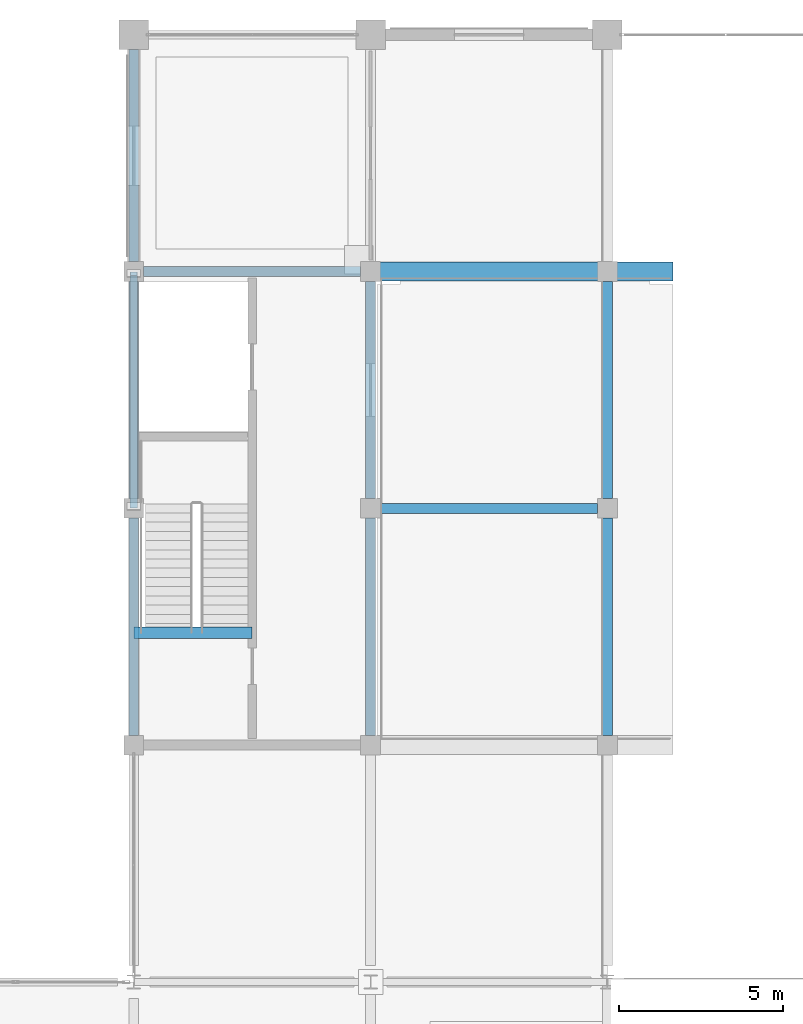
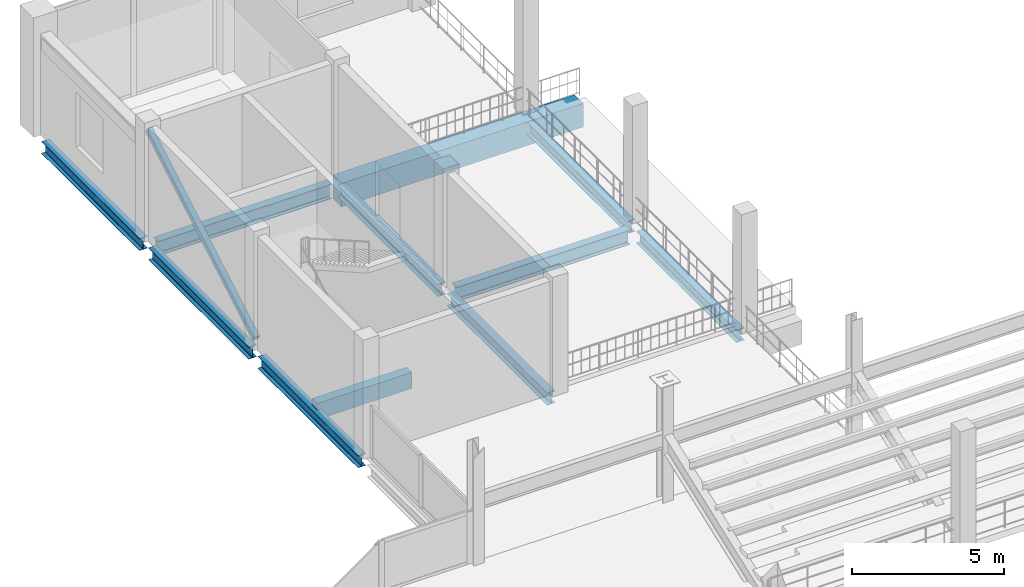
# One storey, part 47 of 120: 11 beams, 1 member.
"""IFC4 building model written with IfcOpenShell, lengths in metres."""

import ifcopenshell
import ifcopenshell.guid

model = None  # the IFC model being written
_history = None  # IfcOwnerHistory: only IFC2X3 demands one
_inside = {}  # id of a spatial element -> (the spatial element, [elements in it])
_under = {}  # id of a project, library or spatial element -> (it, [spatial elements below it])
_declared = {}  # id of a project -> (the project, [libraries it declares])
_typed = {}  # id of a type object -> (the type object, [elements of that type])
_made_of = {}  # id of a material, layer set ... -> (it, [elements and type objects made of it])


def new_model(schema):
    """Start an empty IFC model of exactly this schema.

    Asked for "IFC4X3", IfcOpenShell would pick the latest addendum, in which some entities
    have other attributes; the version numbers below select the first issue.
    IFC2X3 requires an IfcOwnerHistory on every rooted entity: one is made here for all.
    """
    global model, _history
    if schema == "IFC4X3":
        model = ifcopenshell.file(schema_version=(4, 3, 0, 0))
    else:
        model = ifcopenshell.file(schema=schema)
    _inside.clear()
    _under.clear()
    _declared.clear()
    _typed.clear()
    _made_of.clear()
    _history = None
    if model.schema == "IFC2X3":
        org = make("IfcOrganization", Name="unknown")
        user = make(
            "IfcPersonAndOrganization",
            ThePerson=make("IfcPerson", FamilyName="unknown"),
            TheOrganization=org,
        )
        app = make(
            "IfcApplication",
            ApplicationDeveloper=org,
            Version="unknown",
            ApplicationFullName="unknown",
            ApplicationIdentifier="unknown",
        )
        _history = make(
            "IfcOwnerHistory",
            OwningUser=user,
            OwningApplication=app,
            ChangeAction="ADDED",
            CreationDate=0,
        )
    return model


def make(cls, **values):
    """One entity of the class cls with the attributes given. An attribute that is None is left unset."""
    return model.create_entity(
        cls, **{name: value for name, value in values.items() if value is not None}
    )


def rooted(cls, **values):
    """An entity with a GlobalId (a new one), such as an element, a storey or a relation."""
    return make(cls, GlobalId=ifcopenshell.guid.new(), OwnerHistory=_history, **values)


def si_unit(unit_type, name, prefix=None):
    """IfcSIUnit, for example si_unit("LENGTHUNIT", "METRE", prefix="MILLI")."""
    return make("IfcSIUnit", UnitType=unit_type, Prefix=prefix, Name=name)


def assignment(units):
    """IfcUnitAssignment: the units of a project."""
    return None if units is None else make("IfcUnitAssignment", Units=units)


def point(xyz):
    """IfcCartesianPoint."""
    return None if xyz is None else make("IfcCartesianPoint", Coordinates=xyz)


def direction(xyz):
    """IfcDirection."""
    return None if xyz is None else make("IfcDirection", DirectionRatios=xyz)


def frame(location, z_axis=None, x_axis=None):
    """IfcAxis2Placement3D, a coordinate frame: its origin and axes. An axis left out is left unset."""
    return make(
        "IfcAxis2Placement3D",
        Location=point(location),
        Axis=direction(z_axis),
        RefDirection=direction(x_axis),
    )


def frame_2d(location, x_axis=None):
    """IfcAxis2Placement2D, a coordinate frame in the plane: its origin and x axis."""
    return make(
        "IfcAxis2Placement2D", Location=point(location), RefDirection=direction(x_axis)
    )


def origin():
    """The frame at (0, 0, 0) with its axes left unset."""
    return frame((0.0, 0.0, 0.0))


def origin_2d():
    """The frame at (0, 0) in the plane with its x axis left unset."""
    return frame_2d((0.0, 0.0))


def place(relative_to, where):
    """IfcLocalPlacement: puts the frame where relative to a parent placement (None: the world)."""
    return make(
        "IfcLocalPlacement", PlacementRelTo=relative_to, RelativePlacement=where
    )


def context(
    kind, dimensions, precision=None, world=None, true_north=None, identifier=None
):
    """IfcGeometricRepresentationContext, for example the 3D "Model" context."""
    return make(
        "IfcGeometricRepresentationContext",
        ContextIdentifier=identifier,
        ContextType=kind,
        CoordinateSpaceDimension=dimensions,
        Precision=precision,
        WorldCoordinateSystem=world,
        TrueNorth=true_north,
    )


def subcontext(parent, identifier, kind, view, scale=None):
    """IfcGeometricRepresentationSubContext, for example "Body" below "Model"."""
    return make(
        "IfcGeometricRepresentationSubContext",
        ContextIdentifier=identifier,
        ContextType=kind,
        ParentContext=parent,
        TargetScale=scale,
        TargetView=view,
    )


def project(units=None, contexts=None):
    """IfcProject with its units and contexts."""
    return rooted(
        "IfcProject",
        Name="project",
        RepresentationContexts=contexts,
        UnitsInContext=assignment(units),
    )


def spatial(cls, under=None, at=None, **own):
    """A site, building, storey or space (cls), placed at a placement, below another one or the project."""
    s = rooted(cls, ObjectPlacement=at, **own)
    if under is not None:
        _under.setdefault(under.id(), (under, []))[1].append(s)
    return s


def profile(cls, at=None, kind="AREA", **sizes):
    """A parametric profile (cls). Its sizes go by their IFC names, for example OverallWidth=200.0."""
    return make(cls, ProfileType=kind, Position=at, **sizes)


def rectangle(**sizes):
    """IfcRectangleProfileDef."""
    return profile("IfcRectangleProfileDef", **sizes)


def hollow_rectangle(**sizes):
    """IfcRectangleHollowProfileDef."""
    return profile("IfcRectangleHollowProfileDef", **sizes)


def i_section(**sizes):
    """IfcIShapeProfileDef."""
    return profile("IfcIShapeProfileDef", **sizes)


def extrude(swept, where, along, depth):
    """IfcExtrudedAreaSolid: the profile swept, set in the frame where, extruded along a direction by depth."""
    return make(
        "IfcExtrudedAreaSolid",
        SweptArea=swept,
        Position=where,
        ExtrudedDirection=direction(along),
        Depth=depth,
    )


def shape(context_of_items, identifier, shape_type, items):
    """IfcShapeRepresentation: the items that make up one representation, for example the "Body"."""
    return make(
        "IfcShapeRepresentation",
        ContextOfItems=context_of_items,
        RepresentationIdentifier=identifier,
        RepresentationType=shape_type,
        Items=items,
    )


def material(Name=None, Category=None):
    """IfcMaterial."""
    return make("IfcMaterial", Name=Name, Category=Category)


def material_profile(
    of_material, cross_section, Name=None, Category=None, Priority=None
):
    """IfcMaterialProfile: a cross section and its material."""
    return make(
        "IfcMaterialProfile",
        Name=Name,
        Material=of_material,
        Profile=cross_section,
        Priority=Priority,
        Category=Category,
    )


def profile_set(profiles, Name=None, composite=None):
    """IfcMaterialProfileSet."""
    return make(
        "IfcMaterialProfileSet",
        Name=Name,
        MaterialProfiles=profiles,
        CompositeProfile=composite,
    )


def made_of(thing, what):
    """Note that an element or type object is made of a material, layer set ...; save() writes the relation."""
    if what is not None:
        _made_of.setdefault(what.id(), (what, []))[1].append(thing)
    return thing


def type_object(cls, material=None, **own):
    """A type object (cls), such as IfcWallType, which elements share."""
    return made_of(rooted(cls, **own), material)


def element(
    cls,
    number,
    at=None,
    inside=None,
    cuts=None,
    type_object=None,
    material=None,
    context=None,
    identifier="Body",
    shape_type=None,
    held_by="IfcProductDefinitionShape",
    body=None,
    shapes=None,
    **own,
):
    """One element of the class cls, such as IfcWall. Its Tag is "e" and its number.

    at: its placement. inside: the storey or other place that contains it. cuts: it is an
    opening in that element (IfcRelVoidsElement). A single representation is given by context,
    identifier, shape_type and body (its items); several are given by shapes. held_by: the class
    of the entity that holds the representations. save() writes the other relations.
    """
    e = rooted(cls, Tag="e%d" % number, ObjectPlacement=at, **own)
    if body is not None:
        shapes = [shape(context, identifier, shape_type, body)]
    if shapes is not None:
        e.Representation = make(held_by, Representations=shapes)
    if inside is not None:
        _inside.setdefault(inside.id(), (inside, []))[1].append(e)
    if cuts is not None:
        rooted(
            "IfcRelVoidsElement", RelatingBuildingElement=cuts, RelatedOpeningElement=e
        )
    if type_object is not None:
        _typed.setdefault(type_object.id(), (type_object, []))[1].append(e)
    return made_of(e, material)


def aggregate(whole, parts):
    """IfcRelAggregates: a whole, such as a stair, and the parts it consists of."""
    return rooted("IfcRelAggregates", RelatingObject=whole, RelatedObjects=parts)


def save(model, path):
    """Write the relations noted so far, then the file.

    IfcRelAggregates (storeys below a building ...), IfcRelContainedInSpatialStructure (elements
    in a storey), IfcRelDefinesByType, IfcRelAssociatesMaterial and IfcRelDeclares: one each for
    every whole, place, type object, material and project.
    """
    for whole, parts in _under.values():
        aggregate(whole, parts)
    for where, things in _inside.values():
        rooted(
            "IfcRelContainedInSpatialStructure",
            RelatedElements=things,
            RelatingStructure=where,
        )
    for kind, things in _typed.values():
        rooted("IfcRelDefinesByType", RelatedObjects=things, RelatingType=kind)
    for what, things in _made_of.values():
        rooted("IfcRelAssociatesMaterial", RelatedObjects=things, RelatingMaterial=what)
    for by, libraries in _declared.values():
        rooted("IfcRelDeclares", RelatingContext=by, RelatedDefinitions=libraries)
    model.write(path)


model = new_model("IFC4")

# Units and contexts
model_context = context("Model", 3, precision=1e-05, world=origin(), true_north=direction((0.0, 1.0)))
body_context = subcontext(model_context, "Body", "Model", "MODEL_VIEW")
ifc_project = project(units=[si_unit("LENGTHUNIT", "METRE"), si_unit("AREAUNIT", "SQUARE_METRE"), si_unit("VOLUMEUNIT", "CUBIC_METRE"), si_unit("PLANEANGLEUNIT", "RADIAN"), si_unit("MASSUNIT", "GRAM", prefix="KILO")], contexts=[model_context])

# Site, building, storey
site_placement = place(None, origin())
site = spatial("IfcSite", under=ifc_project, at=site_placement, CompositionType="ELEMENT")
building_placement = place(site_placement, origin())
building = spatial("IfcBuilding", under=site, at=building_placement, Name="Vesperath Aquatics Centre", CompositionType="ELEMENT")
storey_placement = place(building_placement, frame((0.0, 0.0, 10.199951171875)))
storey = spatial("IfcBuildingStorey", under=building, at=storey_placement, Name="L02", CompositionType="ELEMENT", Elevation=10.199951171875)

# Beams
ifc_material_1 = material(Name="Concrete C40", Category="concrete")
ifc_material_profile_1 = material_profile(ifc_material_1, rectangle(XDim=0.580078125, YDim=0.949951171875, at=origin_2d()), Name="RC 580x950")
ifc_profile_set_1 = profile_set([ifc_material_profile_1], Name="Concrete C40")
beam_type_1 = type_object("IfcBeamType", Name="BM-DP05", PredefinedType="BEAM", material=ifc_profile_set_1)
beam_1_placement = place(storey_placement, frame((14.39990234375, 108.0, -0.72998046875), z_axis=(1.0, 0.0, 0.0), x_axis=(0.0, 1.0, 0.0)))
element("IfcBeam", 1, at=beam_1_placement, inside=storey, type_object=beam_type_1, Name="Diving Platform Girder DPB5 DP_10M-N", PredefinedType="BEAM", context=body_context, shape_type="SweptSolid", body=[
    extrude(rectangle(XDim=0.580078125, YDim=0.949951171875, at=origin_2d()), origin(), (0.0, 0.0, 1.0), 9.2001953125),
])
ifc_material_2 = material(Name="Concrete C35", Category="concrete")
ifc_material_profile_2 = material_profile(ifc_material_2, rectangle(XDim=0.35009765625, YDim=0.64990234375, at=origin_2d()), Name="RC 350x650")
ifc_profile_set_2 = profile_set([ifc_material_profile_2], Name="Concrete C35")
beam_type_2 = type_object("IfcBeamType", Name="BM-G05", PredefinedType="BEAM", material=ifc_profile_set_2)
beam_2_placement = place(storey_placement, frame((7.199951171875, 97.02001953125, -0.324951171875), z_axis=(1.0, 0.0, 0.0), x_axis=(0.0, 1.0, 0.0)))
element("IfcBeam", 2, at=beam_2_placement, inside=storey, type_object=beam_type_2, Name="Stair ST3 Landing Trimmer Beam B05 L02", PredefinedType="BEAM", context=body_context, shape_type="SweptSolid", body=[
    extrude(rectangle(XDim=0.35009765625, YDim=0.64990234375, at=origin_2d()), origin(), (0.0, 0.0, 1.0), 3.60009765625),
])
ifc_material_3 = material(Name="Steel Q355C", Category="steel")
ifc_material_profile_3 = material_profile(ifc_material_3, i_section(OverallWidth=0.300048828125, OverallDepth=0.587890625, WebThickness=0.011962890625, FlangeThickness=0.02001953125, FilletRadius=0.028076171875, at=origin_2d()), Name="HM 588x300x12x20")
ifc_profile_set_3 = profile_set([ifc_material_profile_3], Name="Steel Q355C")
beam_type_3 = type_object("IfcBeamType", Name="BM-G09", PredefinedType="BEAM", material=ifc_profile_set_3)
for number, where, z_axis, x_axis, name in (
    (3, (7.5, 108.0, -0.553955078125), (1.0, 0.0, 0.0), (0.0, 1.0, 0.0), "Floor Girder B09 L02 R 2-3"),
    (4, (14.699951171875, 100.800048828125, -0.553955078125), (1.0, 0.0, 0.0), (0.0, 1.0, 0.0), "Floor Girder B09 L02 Q 3-4"),
):
    element("IfcBeam", number, at=place(storey_placement, frame(where, z_axis=z_axis, x_axis=x_axis)), inside=storey, type_object=beam_type_3, Name=name, PredefinedType="BEAM", context=body_context, shape_type="SweptSolid", body=[
        extrude(i_section(OverallWidth=0.300048828125, OverallDepth=0.587890625, WebThickness=0.011962890625, FlangeThickness=0.02001953125, FilletRadius=0.028076171875, at=origin_2d()), origin(), (0.0, 0.0, 1.0), 6.60009765625),
    ])
ifc_material_profile_4 = material_profile(ifc_material_3, i_section(OverallWidth=0.300048828125, OverallDepth=0.488037109375, WebThickness=0.010986328125, FlangeThickness=0.01806640625, FilletRadius=0.02587890625, at=origin_2d()), Name="HM 488x300x11x18")
ifc_profile_set_4 = profile_set([ifc_material_profile_4], Name="Steel Q355C")
beam_type_4 = type_object("IfcBeamType", Name="BM-G10", PredefinedType="BEAM", material=ifc_profile_set_4)
beam_3_placement = place(storey_placement, frame((7.199951171875, 93.89990234375, -0.50390625), z_axis=(0.0, 1.0, 0.0), x_axis=(-1.0, 0.0, 0.0)))
element("IfcBeam", 5, at=beam_3_placement, inside=storey, type_object=beam_type_4, Name="Floor Girder B10 L02 2 P-Q", PredefinedType="BEAM", context=body_context, shape_type="SweptSolid", body=[
    extrude(i_section(OverallWidth=0.300048828125, OverallDepth=0.488037109375, WebThickness=0.010986328125, FlangeThickness=0.01806640625, FilletRadius=0.02587890625, at=origin_2d()), origin(), (0.0, 0.0, 1.0), 6.60009765625),
])
beam_4_placement = place(storey_placement, frame((7.199951171875, 101.10009765625, -0.50390625), z_axis=(0.0, 1.0, 0.0), x_axis=(-1.0, 0.0, 0.0)))
element("IfcBeam", 6, at=beam_4_placement, inside=storey, type_object=beam_type_4, Name="Floor Girder B10 L02 2 Q-R", PredefinedType="BEAM", context=body_context, shape_type="SweptSolid", body=[
    extrude(i_section(OverallWidth=0.300048828125, OverallDepth=0.488037109375, WebThickness=0.010986328125, FlangeThickness=0.01806640625, FilletRadius=0.02587890625, at=origin_2d()), origin(), (0.0, 0.0, 1.0), 6.599853515625),
])
beam_5_placement = place(storey_placement, frame((7.199951171875, 108.300048828125, -0.50390625), z_axis=(0.0, 1.0, 0.0), x_axis=(-1.0, 0.0, 0.0)))
element("IfcBeam", 7, at=beam_5_placement, inside=storey, type_object=beam_type_4, Name="Floor Girder B10 L02 2 R-S", PredefinedType="BEAM", context=body_context, shape_type="SweptSolid", body=[
    extrude(i_section(OverallWidth=0.300048828125, OverallDepth=0.488037109375, WebThickness=0.010986328125, FlangeThickness=0.01806640625, FilletRadius=0.02587890625, at=origin_2d()), origin(), (0.0, 0.0, 1.0), 6.449951171875),
])
beam_6_placement = place(storey_placement, frame((14.39990234375, 93.89990234375, -0.50390625), z_axis=(0.0, 1.0, 0.0), x_axis=(-1.0, 0.0, 0.0)))
element("IfcBeam", 8, at=beam_6_placement, inside=storey, type_object=beam_type_4, Name="Floor Girder B10 L02 3 P-Q", PredefinedType="BEAM", context=body_context, shape_type="SweptSolid", body=[
    extrude(i_section(OverallWidth=0.300048828125, OverallDepth=0.488037109375, WebThickness=0.010986328125, FlangeThickness=0.01806640625, FilletRadius=0.02587890625, at=origin_2d()), origin(), (0.0, 0.0, 1.0), 6.60009765625),
])
beam_7_placement = place(storey_placement, frame((14.39990234375, 101.10009765625, -0.50390625), z_axis=(0.0, 1.0, 0.0), x_axis=(-1.0, 0.0, 0.0)))
element("IfcBeam", 9, at=beam_7_placement, inside=storey, type_object=beam_type_4, Name="Floor Girder B10 L02 3 Q-R", PredefinedType="BEAM", context=body_context, shape_type="SweptSolid", body=[
    extrude(i_section(OverallWidth=0.300048828125, OverallDepth=0.488037109375, WebThickness=0.010986328125, FlangeThickness=0.01806640625, FilletRadius=0.02587890625, at=origin_2d()), origin(), (0.0, 0.0, 1.0), 6.599853515625),
])
beam_8_placement = place(storey_placement, frame((21.60009765625, 93.89990234375, -0.50390625), z_axis=(0.0, 1.0, 0.0), x_axis=(-1.0, 0.0, 0.0)))
element("IfcBeam", 10, at=beam_8_placement, inside=storey, type_object=beam_type_4, Name="Floor Girder B10 L02 4 P-Q", PredefinedType="BEAM", context=body_context, shape_type="SweptSolid", body=[
    extrude(i_section(OverallWidth=0.300048828125, OverallDepth=0.488037109375, WebThickness=0.010986328125, FlangeThickness=0.01806640625, FilletRadius=0.02587890625, at=origin_2d()), origin(), (0.0, 0.0, 1.0), 6.60009765625),
])
beam_9_placement = place(storey_placement, frame((21.60009765625, 101.10009765625, -0.50390625), z_axis=(0.0, 1.0, 0.0), x_axis=(-1.0, 0.0, 0.0)))
element("IfcBeam", 11, at=beam_9_placement, inside=storey, type_object=beam_type_4, Name="Floor Girder B10 L02 4 Q-R", PredefinedType="BEAM", context=body_context, shape_type="SweptSolid", body=[
    extrude(i_section(OverallWidth=0.300048828125, OverallDepth=0.488037109375, WebThickness=0.010986328125, FlangeThickness=0.01806640625, FilletRadius=0.02587890625, at=origin_2d()), origin(), (0.0, 0.0, 1.0), 6.599853515625),
])

# Member
ifc_material_4 = material(Name="Steel Q355D", Category="steel")
ifc_material_profile_5 = material_profile(ifc_material_4, hollow_rectangle(XDim=0.219970703125, YDim=0.219970703125, WallThickness=0.010009765625, at=origin_2d()), Name="SHS 220x220x10")
ifc_profile_set_5 = profile_set([ifc_material_profile_5], Name="Steel Q355D")
member_type = type_object("IfcMemberType", Name="MB-BR02", PredefinedType="BRACE", material=ifc_profile_set_5)
member_placement = place(storey_placement, frame((7.199951171875, 100.869140625, 0.1904296875), z_axis=(0.0, 0.863777817794, 0.503872882269), x_axis=(-1.0, 0.0, 0.0)))
element("IfcMember", 12, at=member_placement, inside=storey, type_object=member_type, Name="Lateral Braced Frame Strut C3_W L02", PredefinedType="BRACE", context=body_context, shape_type="SweptSolid", body=[
    extrude(hollow_rectangle(XDim=0.219970703125, YDim=0.219970703125, WallThickness=0.010009765625, at=origin_2d()), origin(), (0.0, 0.0, 1.0), 8.175537109375),
])

save(model, "model.ifc")
